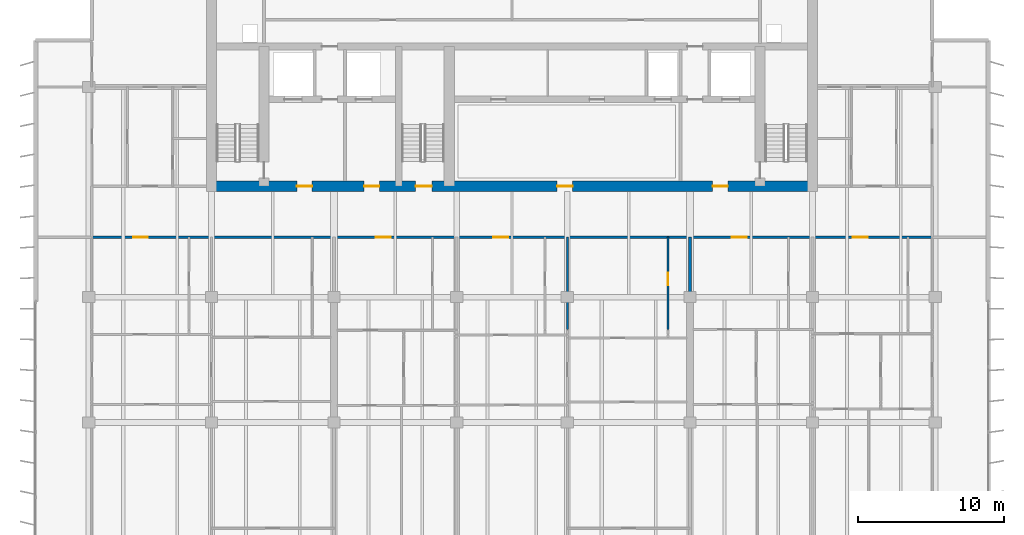
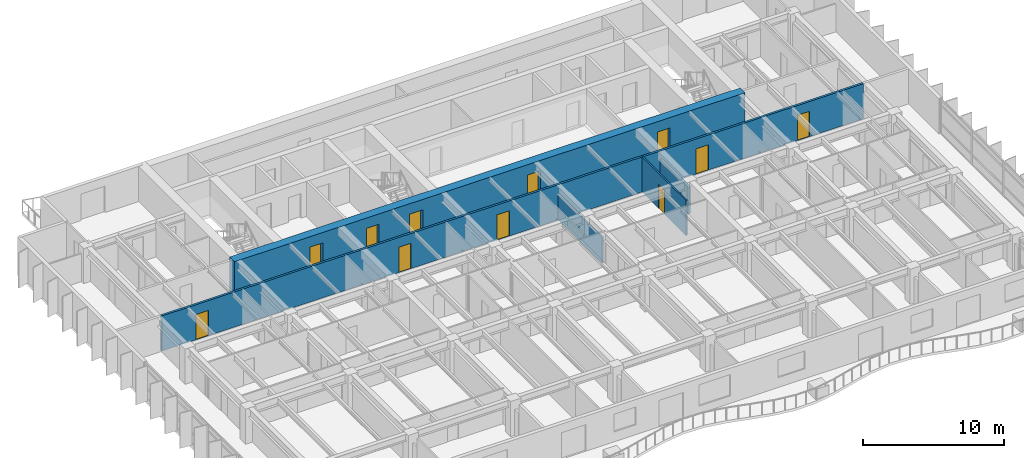
# One storey, part 11 of 19: 11 doors, 5 walls, 11 openings.
"""IFC4 building model written with IfcOpenShell, lengths in metres."""

from ifc_helpers import new_model, si_unit, direction, frame, frame_2d, origin, place, context, subcontext, project, spatial, rectangle, extrude, material, layer, layer_set, type_object, element, fill, save


model = new_model("IFC4")

# Units and contexts
model_context = context("Model", 3, precision=1e-05, world=origin(), true_north=direction((0.0, 1.0)))
body_context = subcontext(model_context, "Body", "Model", "MODEL_VIEW")
ifc_project = project(units=[si_unit("LENGTHUNIT", "METRE"), si_unit("AREAUNIT", "SQUARE_METRE"), si_unit("VOLUMEUNIT", "CUBIC_METRE"), si_unit("PLANEANGLEUNIT", "RADIAN"), si_unit("MASSUNIT", "GRAM", prefix="KILO")], contexts=[model_context])

# Site, building, storey
site_placement = place(None, origin())
site = spatial("IfcSite", under=ifc_project, at=site_placement, CompositionType="ELEMENT")
building_placement = place(site_placement, origin())
building = spatial("IfcBuilding", under=site, at=building_placement, Name="Caelmar Bay Residences", CompositionType="ELEMENT")
storey_placement = place(building_placement, frame((0.0, 0.0, 195.0)))
storey = spatial("IfcBuildingStorey", under=building, at=storey_placement, Name="L54", CompositionType="ELEMENT", Elevation=195.0)

# Wall, openings, doors
ifc_material_1 = material(Name="Concrete f'c 55 MPa (8,000 psi)", Category="concrete")
ifc_layer_1 = layer(ifc_material_1, 0.699951171875)
ifc_layer_set_1 = layer_set([ifc_layer_1], Name="Concrete f'c 55 MPa (8,000 psi)")
wall_type_1 = type_object("IfcWallType", Name="SW-COR-700", PredefinedType="SHEAR", material=ifc_layer_set_1)
wall_1_placement = place(storey_placement, frame((17.949951171875, 37.0, 0.0), z_axis=(0.0, 0.0, 1.0), x_axis=(1.0, 0.0, 0.0)))
wall_1 = element("IfcWall", 1, at=wall_1_placement, inside=storey, type_object=wall_type_1, Name="L54 Rear Core South Shear Wall", PredefinedType="SHEAR", context=body_context, shape_type="SweptSolid", body=[
    extrude(rectangle(XDim=41.900146484375, YDim=0.699951171875, at=frame_2d((20.9501953125, 0.0))), origin(), (0.0, 0.0, 1.0), 3.050048828125),
])
opening_1_placement = place(wall_1_placement, frame((14.35009765625, 0.0, 0.0)))
opening_1 = element("IfcOpeningElement", 2, at=opening_1_placement, cuts=wall_1, Name="Opening D-L54-105", PredefinedType="OPENING", context=body_context, shape_type="SweptSolid", body=[
    extrude(rectangle(XDim=1.10009765625, YDim=2.14990234375, at=frame_2d((0.550048828125, 1.074951171875))), frame((0.0, 0.35986328125, 0.0), z_axis=(0.0, -1.0, 0.0), x_axis=(1.0, 0.0, 0.0)), (0.0, 0.0, 1.0), 0.719970703125),
])
opening_2_placement = place(wall_1_placement, frame((6.199951171875, 0.0, 0.0)))
opening_2 = element("IfcOpeningElement", 3, at=opening_2_placement, cuts=wall_1, Name="Opening D-L54-106", PredefinedType="OPENING", context=body_context, shape_type="SweptSolid", body=[
    extrude(rectangle(XDim=1.050048828125, YDim=2.14990234375, at=frame_2d((0.52490234375, 1.074951171875))), frame((0.0, 0.35986328125, 0.0), z_axis=(0.0, -1.0, 0.0), x_axis=(1.0, 0.0, 0.0)), (0.0, 0.0, 1.0), 0.719970703125),
])
opening_3_placement = place(wall_1_placement, frame((34.699951171875, 0.0, 0.0)))
opening_3 = element("IfcOpeningElement", 4, at=opening_3_placement, cuts=wall_1, Name="Opening D-L54-109", PredefinedType="OPENING", context=body_context, shape_type="SweptSolid", body=[
    extrude(rectangle(XDim=1.050048828125, YDim=2.14990234375, at=frame_2d((0.52490234375, 1.074951171875))), frame((0.0, 0.35986328125, 0.0), z_axis=(0.0, -1.0, 0.0), x_axis=(1.0, 0.0, 0.0)), (0.0, 0.0, 1.0), 0.719970703125),
])
opening_4_placement = place(wall_1_placement, frame((10.8125, 0.0, 0.0)))
opening_4 = element("IfcOpeningElement", 5, at=opening_4_placement, cuts=wall_1, Name="Opening D-L54-112", PredefinedType="OPENING", context=body_context, shape_type="SweptSolid", body=[
    extrude(rectangle(XDim=1.050048828125, YDim=2.14990234375, at=frame_2d((0.52490234375, 1.074951171875))), frame((0.0, 0.35986328125, 0.0), z_axis=(0.0, -1.0, 0.0), x_axis=(1.0, 0.0, 0.0)), (0.0, 0.0, 1.0), 0.719970703125),
])
opening_5_placement = place(wall_1_placement, frame((24.050048828125, 0.0, 0.0)))
opening_5 = element("IfcOpeningElement", 6, at=opening_5_placement, cuts=wall_1, Name="Opening D-L54-113", PredefinedType="OPENING", context=body_context, shape_type="SweptSolid", body=[
    extrude(rectangle(XDim=1.050048828125, YDim=2.14990234375, at=frame_2d((0.52490234375, 1.074951171875))), frame((0.0, 0.35986328125, 0.0), z_axis=(0.0, -1.0, 0.0), x_axis=(1.0, 0.0, 0.0)), (0.0, 0.0, 1.0), 0.719970703125),
])
ifc_material_2 = material(Name="Fire-rated steel and walnut architectural door assembly", Category="steel")
ifc_layer_2 = layer(ifc_material_2, 0.050048828125)
ifc_layer_set_2 = layer_set([ifc_layer_2], Name="Fire-rated steel and walnut architectural door assembly")
door_type_1 = type_object("IfcDoorType", Name="D-FSAE-1050", OperationType="NOTDEFINED", PredefinedType="DOOR", material=ifc_layer_set_2)
door_1_placement = place(opening_2_placement, origin())
door_1 = element("IfcDoor", 7, at=door_1_placement, inside=storey, type_object=door_type_1, Name="L54 Firefighting Lobby West Door", OperationType="SINGLE_SWING_RIGHT", OverallHeight=2.14990234375, OverallWidth=1.050048828125, PredefinedType="DOOR", context=body_context, shape_type="SweptSolid", body=[
    extrude(rectangle(XDim=1.050048828125, YDim=2.14990234375, at=frame_2d((0.52490234375, 1.074951171875))), frame((0.0, 0.02490234375, 0.0), z_axis=(0.0, -1.0, 0.0), x_axis=(1.0, 0.0, 0.0)), (0.0, 0.0, 1.0), 0.050048828125),
])
fill(opening_2, door_1)
door_2_placement = place(opening_3_placement, origin())
door_2 = element("IfcDoor", 8, at=door_2_placement, inside=storey, type_object=door_type_1, Name="L54 Firefighting Lobby East Door", OperationType="SINGLE_SWING_LEFT", OverallHeight=2.14990234375, OverallWidth=1.050048828125, PredefinedType="DOOR", context=body_context, shape_type="SweptSolid", body=[
    extrude(rectangle(XDim=1.050048828125, YDim=2.14990234375, at=frame_2d((0.52490234375, 1.074951171875))), frame((0.0, 0.02490234375, 0.0), z_axis=(0.0, -1.0, 0.0), x_axis=(1.0, 0.0, 0.0)), (0.0, 0.0, 1.0), 0.050048828125),
])
fill(opening_3, door_2)
door_3_placement = place(opening_4_placement, origin())
door_3 = element("IfcDoor", 9, at=door_3_placement, inside=storey, type_object=door_type_1, Name="L54 West Lift Lobby Door", OperationType="SINGLE_SWING_RIGHT", OverallHeight=2.14990234375, OverallWidth=1.050048828125, PredefinedType="DOOR", context=body_context, shape_type="SweptSolid", body=[
    extrude(rectangle(XDim=1.050048828125, YDim=2.14990234375, at=frame_2d((0.52490234375, 1.074951171875))), frame((0.0, 0.02490234375, 0.0), z_axis=(0.0, -1.0, 0.0), x_axis=(1.0, 0.0, 0.0)), (0.0, 0.0, 1.0), 0.050048828125),
])
fill(opening_4, door_3)
door_4_placement = place(opening_5_placement, origin())
door_4 = element("IfcDoor", 10, at=door_4_placement, inside=storey, type_object=door_type_1, Name="L54 Passenger Lift Lobby Door", OperationType="SINGLE_SWING_LEFT", OverallHeight=2.14990234375, OverallWidth=1.050048828125, PredefinedType="DOOR", context=body_context, shape_type="SweptSolid", body=[
    extrude(rectangle(XDim=1.050048828125, YDim=2.14990234375, at=frame_2d((0.52490234375, 1.074951171875))), frame((0.0, 0.02490234375, 0.0), z_axis=(0.0, -1.0, 0.0), x_axis=(1.0, 0.0, 0.0)), (0.0, 0.0, 1.0), 0.050048828125),
])
fill(opening_5, door_4)
ifc_layer_3 = layer(ifc_material_2, 0.050048828125)
ifc_layer_set_3 = layer_set([ifc_layer_3], Name="Fire-rated steel and walnut architectural door assembly")
door_type_2 = type_object("IfcDoorType", Name="D-STAIR-1100", OperationType="NOTDEFINED", PredefinedType="DOOR", material=ifc_layer_set_3)
door_5_placement = place(opening_1_placement, origin())
door_5 = element("IfcDoor", 11, at=door_5_placement, inside=storey, type_object=door_type_2, Name="L54 Exit Stair ST3 Door", OperationType="SINGLE_SWING_LEFT", OverallHeight=2.14990234375, OverallWidth=1.10009765625, PredefinedType="DOOR", context=body_context, shape_type="SweptSolid", body=[
    extrude(rectangle(XDim=1.10009765625, YDim=2.14990234375, at=frame_2d((0.550048828125, 1.074951171875))), frame((0.0, 0.02490234375, 0.0), z_axis=(0.0, -1.0, 0.0), x_axis=(1.0, 0.0, 0.0)), (0.0, 0.0, 1.0), 0.050048828125),
])
fill(opening_1, door_5)

ifc_material_3 = material(Name="Double-stud acoustic fire-rated gypsum partition 180 mm")
ifc_layer_4 = layer(ifc_material_3, 0.179931640625)
ifc_layer_set_4 = layer_set([ifc_layer_4], Name="Double-stud acoustic fire-rated gypsum partition 180 mm")
wall_type_2 = type_object("IfcWallType", Name="W-COR-200", PredefinedType="PARTITIONING", material=ifc_layer_set_4)
wall_2_placement = place(storey_placement, frame((10.10498046875, 33.5, 0.0), z_axis=(0.0, 0.0, 1.0), x_axis=(1.0, 0.0, 0.0)))
wall_2 = element("IfcWall", 12, at=wall_2_placement, inside=storey, type_object=wall_type_2, Name="L54 Partition Wall H118", PredefinedType="PARTITIONING", context=body_context, shape_type="SweptSolid", body=[
    extrude(rectangle(XDim=57.594970703125, YDim=0.179931640625, at=frame_2d((28.79736328125, 0.0))), origin(), (0.0, 0.0, 1.0), 3.050048828125),
])
opening_6_placement = place(wall_2_placement, frame((2.823974609375, 0.0, 0.0)))
opening_6 = element("IfcOpeningElement", 13, at=opening_6_placement, cuts=wall_2, Name="Opening D-L54-120", PredefinedType="OPENING", context=body_context, shape_type="SweptSolid", body=[
    extrude(rectangle(XDim=1.0, YDim=2.199951171875, at=frame_2d((0.5, 1.10009765625))), frame((0.0, 0.099853515625, 0.0), z_axis=(0.0, -1.0, 0.0), x_axis=(1.0, 0.0, 0.0)), (0.0, 0.0, 1.0), 0.199951171875),
])
opening_7_placement = place(wall_2_placement, frame((19.469970703125, 0.0, 0.0)))
opening_7 = element("IfcOpeningElement", 14, at=opening_7_placement, cuts=wall_2, Name="Opening D-L54-129", PredefinedType="OPENING", context=body_context, shape_type="SweptSolid", body=[
    extrude(rectangle(XDim=1.0, YDim=2.199951171875, at=frame_2d((0.5, 1.10009765625))), frame((0.0, 0.099853515625, 0.0), z_axis=(0.0, -1.0, 0.0), x_axis=(1.0, 0.0, 0.0)), (0.0, 0.0, 1.0), 0.199951171875),
])
opening_8_placement = place(wall_2_placement, frame((27.526611328125, 0.0, 0.0)))
opening_8 = element("IfcOpeningElement", 15, at=opening_8_placement, cuts=wall_2, Name="Opening D-L54-135", PredefinedType="OPENING", context=body_context, shape_type="SweptSolid", body=[
    extrude(rectangle(XDim=1.0, YDim=2.199951171875, at=frame_2d((0.5, 1.10009765625))), frame((0.0, 0.099853515625, 0.0), z_axis=(0.0, -1.0, 0.0), x_axis=(1.0, 0.0, 0.0)), (0.0, 0.0, 1.0), 0.199951171875),
])
opening_9_placement = place(wall_2_placement, frame((43.8701171875, 0.0, 0.0)))
opening_9 = element("IfcOpeningElement", 16, at=opening_9_placement, cuts=wall_2, Name="Opening D-L54-144", PredefinedType="OPENING", context=body_context, shape_type="SweptSolid", body=[
    extrude(rectangle(XDim=1.0, YDim=2.199951171875, at=frame_2d((0.5, 1.10009765625))), frame((0.0, 0.099853515625, 0.0), z_axis=(0.0, -1.0, 0.0), x_axis=(1.0, 0.0, 0.0)), (0.0, 0.0, 1.0), 0.199951171875),
])
opening_10_placement = place(wall_2_placement, frame((52.169921875, 0.0, 0.0)))
opening_10 = element("IfcOpeningElement", 17, at=opening_10_placement, cuts=wall_2, Name="Opening D-L54-150", PredefinedType="OPENING", context=body_context, shape_type="SweptSolid", body=[
    extrude(rectangle(XDim=1.0, YDim=2.199951171875, at=frame_2d((0.5, 1.10009765625))), frame((0.0, 0.099853515625, 0.0), z_axis=(0.0, -1.0, 0.0), x_axis=(1.0, 0.0, 0.0)), (0.0, 0.0, 1.0), 0.199951171875),
])
ifc_layer_5 = layer(ifc_material_2, 0.050048828125)
ifc_layer_set_5 = layer_set([ifc_layer_5], Name="Fire-rated steel and walnut architectural door assembly")
door_type_3 = type_object("IfcDoorType", Name="D-UNIT-1000", OperationType="NOTDEFINED", PredefinedType="DOOR", material=ifc_layer_set_5)
door_6_placement = place(opening_6_placement, origin())
door_6 = element("IfcDoor", 18, at=door_6_placement, inside=storey, type_object=door_type_3, Name="L54 Residence 01 Apartment Hall Door", OperationType="SINGLE_SWING_RIGHT", OverallHeight=2.199951171875, OverallWidth=1.0, PredefinedType="DOOR", context=body_context, shape_type="SweptSolid", body=[
    extrude(rectangle(XDim=1.0, YDim=2.199951171875, at=frame_2d((0.5, 1.10009765625))), frame((0.0, 0.02490234375, 0.0), z_axis=(0.0, -1.0, 0.0), x_axis=(1.0, 0.0, 0.0)), (0.0, 0.0, 1.0), 0.050048828125),
])
fill(opening_6, door_6)
door_7_placement = place(opening_7_placement, origin())
door_7 = element("IfcDoor", 19, at=door_7_placement, inside=storey, type_object=door_type_3, Name="L54 Residence 02 Apartment Hall Door", OperationType="SINGLE_SWING_LEFT", OverallHeight=2.199951171875, OverallWidth=1.0, PredefinedType="DOOR", context=body_context, shape_type="SweptSolid", body=[
    extrude(rectangle(XDim=1.0, YDim=2.199951171875, at=frame_2d((0.5, 1.10009765625))), frame((0.0, 0.02490234375, 0.0), z_axis=(0.0, -1.0, 0.0), x_axis=(1.0, 0.0, 0.0)), (0.0, 0.0, 1.0), 0.050048828125),
])
fill(opening_7, door_7)
door_8_placement = place(opening_8_placement, origin())
door_8 = element("IfcDoor", 20, at=door_8_placement, inside=storey, type_object=door_type_3, Name="L54 Residence 03 Apartment Hall Door", OperationType="SINGLE_SWING_LEFT", OverallHeight=2.199951171875, OverallWidth=1.0, PredefinedType="DOOR", context=body_context, shape_type="SweptSolid", body=[
    extrude(rectangle(XDim=1.0, YDim=2.199951171875, at=frame_2d((0.5, 1.10009765625))), frame((0.0, 0.02490234375, 0.0), z_axis=(0.0, -1.0, 0.0), x_axis=(1.0, 0.0, 0.0)), (0.0, 0.0, 1.0), 0.050048828125),
])
fill(opening_8, door_8)
door_9_placement = place(opening_9_placement, origin())
door_9 = element("IfcDoor", 21, at=door_9_placement, inside=storey, type_object=door_type_3, Name="L54 Residence 04 Apartment Hall Door", OperationType="SINGLE_SWING_RIGHT", OverallHeight=2.199951171875, OverallWidth=1.0, PredefinedType="DOOR", context=body_context, shape_type="SweptSolid", body=[
    extrude(rectangle(XDim=1.0, YDim=2.199951171875, at=frame_2d((0.5, 1.10009765625))), frame((0.0, 0.02490234375, 0.0), z_axis=(0.0, -1.0, 0.0), x_axis=(1.0, 0.0, 0.0)), (0.0, 0.0, 1.0), 0.050048828125),
])
fill(opening_9, door_9)
door_10_placement = place(opening_10_placement, origin())
door_10 = element("IfcDoor", 22, at=door_10_placement, inside=storey, type_object=door_type_3, Name="L54 Residence 05 Apartment Hall Door", OperationType="SINGLE_SWING_RIGHT", OverallHeight=2.199951171875, OverallWidth=1.0, PredefinedType="DOOR", context=body_context, shape_type="SweptSolid", body=[
    extrude(rectangle(XDim=1.0, YDim=2.199951171875, at=frame_2d((0.5, 1.10009765625))), frame((0.0, 0.02490234375, 0.0), z_axis=(0.0, -1.0, 0.0), x_axis=(1.0, 0.0, 0.0)), (0.0, 0.0, 1.0), 0.050048828125),
])
fill(opening_10, door_10)

# Wall
ifc_material_4 = material(Name="Acoustic metal-stud gypsum partition 120 mm")
ifc_layer_6 = layer(ifc_material_4, 0.1201171875)
ifc_layer_set_6 = layer_set([ifc_layer_6], Name="Acoustic metal-stud gypsum partition 120 mm")
wall_type_3 = type_object("IfcWallType", Name="W-PRT-120", PredefinedType="PARTITIONING", material=ifc_layer_set_6)
wall_3_placement = place(storey_placement, frame((42.699951171875, 27.179931640625, 0.0), z_axis=(0.0, 0.0, 1.0), x_axis=(0.0, 1.0, 0.0)))
element("IfcWall", 23, at=wall_3_placement, inside=storey, type_object=wall_type_3, Name="L54 Partition Wall V055", PredefinedType="PARTITIONING", context=body_context, shape_type="SweptSolid", body=[
    extrude(rectangle(XDim=6.320068359375, YDim=0.1201171875, at=frame_2d((3.16015625, 0.0))), origin(), (0.0, 0.0, 1.0), 2.262939453125),
])

# Wall, opening, door
wall_4_placement = place(storey_placement, frame((49.60009765625, 27.179931640625, 0.0), z_axis=(0.0, 0.0, 1.0), x_axis=(0.0, 1.0, 0.0)))
wall_4 = element("IfcWall", 24, at=wall_4_placement, inside=storey, type_object=wall_type_3, Name="L54 Partition Wall V059", PredefinedType="PARTITIONING", context=body_context, shape_type="SweptSolid", body=[
    extrude(rectangle(XDim=6.320068359375, YDim=0.1201171875, at=frame_2d((3.16015625, 0.0))), origin(), (0.0, 0.0, 1.0), 3.050048828125),
])
opening_11_placement = place(wall_4_placement, frame((3.034912109375, 0.0, 0.0)))
opening_11 = element("IfcOpeningElement", 25, at=opening_11_placement, cuts=wall_4, Name="Opening D-L54-141", PredefinedType="OPENING", context=body_context, shape_type="SweptSolid", body=[
    extrude(rectangle(XDim=0.85009765625, YDim=2.10009765625, at=frame_2d((0.425048828125, 1.050048828125))), frame((0.0, 0.070068359375, 0.0), z_axis=(0.0, -1.0, 0.0), x_axis=(1.0, 0.0, 0.0)), (0.0, 0.0, 1.0), 0.14013671875),
])
ifc_material_5 = material(Name="Solid walnut timber interior door leaf and frame", Category="wood")
ifc_layer_7 = layer(ifc_material_5, 0.050048828125)
ifc_layer_set_7 = layer_set([ifc_layer_7], Name="Solid walnut timber interior door leaf and frame")
door_type_4 = type_object("IfcDoorType", Name="D-BATH-850", OperationType="NOTDEFINED", PredefinedType="DOOR", material=ifc_layer_set_7)
door_11_placement = place(opening_11_placement, origin())
door_11 = element("IfcDoor", 26, at=door_11_placement, inside=storey, type_object=door_type_4, Name="L54 Residence 03 En-Suite Bathroom 1 Door", OperationType="SINGLE_SWING_LEFT", OverallHeight=2.10009765625, OverallWidth=0.85009765625, PredefinedType="DOOR", context=body_context, shape_type="SweptSolid", body=[
    extrude(rectangle(XDim=0.85009765625, YDim=2.10009765625, at=frame_2d((0.425048828125, 1.050048828125))), frame((0.0, 0.02490234375, 0.0), z_axis=(0.0, -1.0, 0.0), x_axis=(1.0, 0.0, 0.0)), (0.0, 0.0, 1.0), 0.050048828125),
])
fill(opening_11, door_11)

# Wall
ifc_material_6 = material(Name="Acoustic twin-stud fire-rated inter-tenancy partition 200 mm")
ifc_layer_8 = layer(ifc_material_6, 0.199951171875)
ifc_layer_set_8 = layer_set([ifc_layer_8], Name="Acoustic twin-stud fire-rated inter-tenancy partition 200 mm")
wall_type_4 = type_object("IfcWallType", Name="W-PTY-200", PredefinedType="PARTITIONING", material=ifc_layer_set_8)
wall_5_placement = place(storey_placement, frame((51.10009765625, 29.405029296875, 0.0), z_axis=(0.0, 0.0, 1.0), x_axis=(0.0, 1.0, 0.0)))
element("IfcWall", 27, at=wall_5_placement, inside=storey, type_object=wall_type_4, Name="L54 Partition Wall V064", PredefinedType="PARTITIONING", context=body_context, shape_type="SweptSolid", body=[
    extrude(rectangle(XDim=4.094970703125, YDim=0.199951171875, at=frame_2d((2.04736328125, 0.0))), origin(), (0.0, 0.0, 1.0), 2.3349609375),
])

save(model, "model.ifc")
